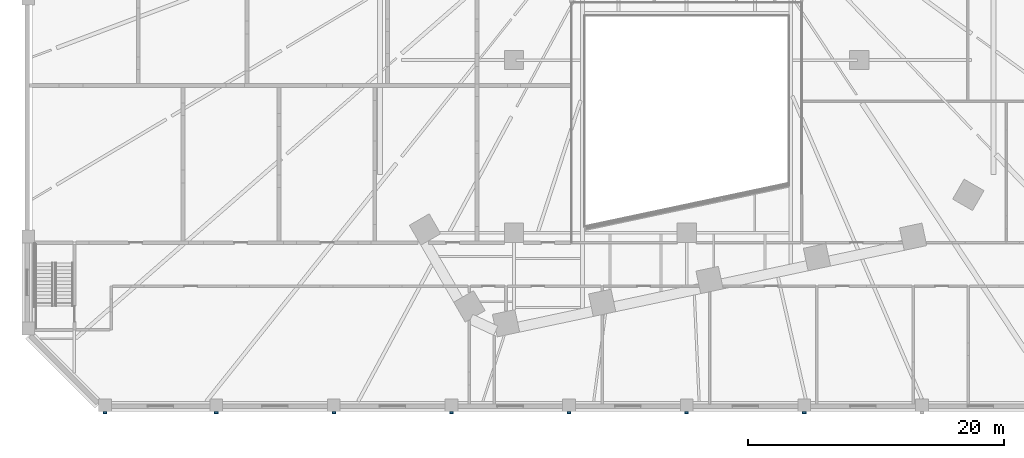
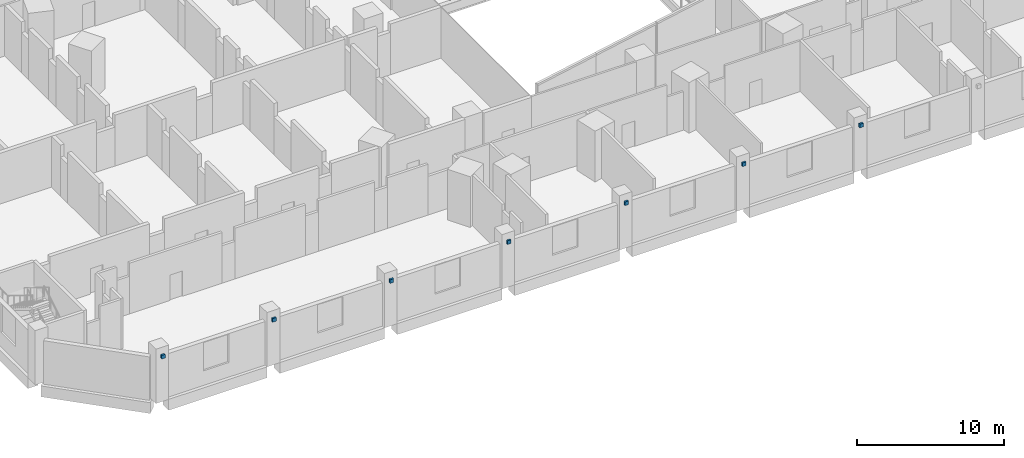
# One storey, part 24 of 33: 7 discrete accessories.
"""IFC4 building model written with IfcOpenShell, lengths in metres."""

from ifc_helpers import new_model, si_unit, direction, frame, origin, origin_2d, place, context, subcontext, project, spatial, rectangle, extrude, material, type_object, element, save


model = new_model("IFC4")

# Units and contexts
model_context = context("Model", 3, precision=1e-05, world=origin(), true_north=direction((0.0, 1.0)))
body_context = subcontext(model_context, "Body", "Model", "MODEL_VIEW")
ifc_project = project(units=[si_unit("LENGTHUNIT", "METRE"), si_unit("AREAUNIT", "SQUARE_METRE"), si_unit("VOLUMEUNIT", "CUBIC_METRE"), si_unit("PLANEANGLEUNIT", "RADIAN"), si_unit("MASSUNIT", "GRAM", prefix="KILO")], contexts=[model_context])

# Site, building, storey
site_placement = place(None, origin())
site = spatial("IfcSite", under=ifc_project, at=site_placement, CompositionType="ELEMENT")
building_placement = place(site_placement, origin())
building = spatial("IfcBuilding", under=site, at=building_placement, Name="Isthmus Gate Tower", CompositionType="ELEMENT")
storey_placement = place(building_placement, frame((0.0, 0.0, 22.5)))
storey = spatial("IfcBuildingStorey", under=building, at=storey_placement, Name="L03", CompositionType="ELEMENT", Elevation=22.5)

# Discrete accessories
ifc_material = material(Name="Structural steel ASTM A572 Gr 50, white paint system", Category="steel")
discrete_accessory_type = type_object("IfcDiscreteAccessoryType", Name="FIN BRACKET 281 X 150 X 300", PredefinedType="BRACKET", material=ifc_material)
for number, where, z_axis, x_axis, name in (
    (1, (-45.5, -41.074951171875, 3.35009765625), (0.0, 0.0, 1.0), (0.0, -1.0, 0.0), "FIN BRACKET"),
    (2, (-36.800048828125, -41.074951171875, 3.35009765625), (0.0, 0.0, 1.0), (0.0, -1.0, 0.0), "FIN BRACKET"),
    (3, (-27.60009765625, -41.074951171875, 3.35009765625), (0.0, 0.0, 1.0), (0.0, -1.0, 0.0), "FIN BRACKET"),
    (4, (-18.39990234375, -41.074951171875, 3.35009765625), (0.0, 0.0, 1.0), (0.0, -1.0, 0.0), "FIN BRACKET"),
    (5, (-9.199951171875, -41.074951171875, 3.35009765625), (0.0, 0.0, 1.0), (0.0, -1.0, 0.0), "FIN BRACKET"),
    (6, (0.0, -41.074951171875, 3.35009765625), (0.0, 0.0, 1.0), (0.0, -1.0, 0.0), "FIN BRACKET"),
    (7, (9.199951171875, -41.074951171875, 3.35009765625), (0.0, 0.0, 1.0), (0.0, -1.0, 0.0), "FIN BRACKET"),
):
    element("IfcDiscreteAccessory", number, at=place(storey_placement, frame(where, z_axis=z_axis, x_axis=x_axis)), inside=storey, type_object=discrete_accessory_type, Name=name, PredefinedType="BRACKET", context=body_context, shape_type="SweptSolid", body=[
        extrude(rectangle(XDim=0.14990234375, YDim=0.281005859375, at=origin_2d()), origin(), (0.0, 0.0, 1.0), 0.300048828125),
    ])

save(model, "model.ifc")
